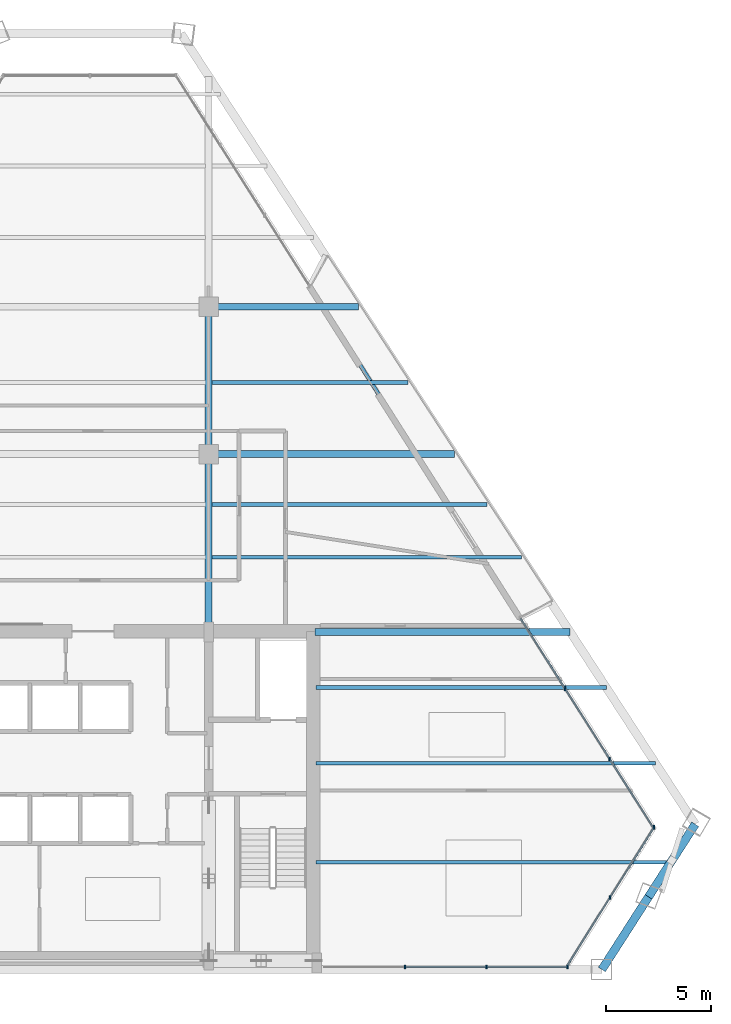
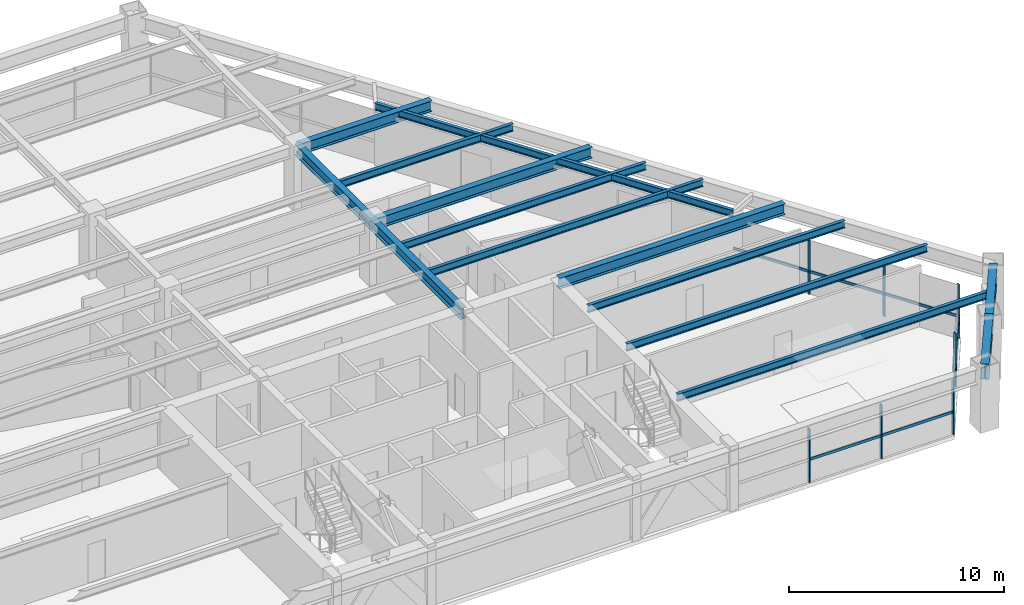
# One storey, part 6 of 15: 14 beams, 14 members, 3 elements without a shape of their own.
"""IFC4 building model written with IfcOpenShell, lengths in metres."""

from ifc_helpers import new_model, si_unit, direction, frame, origin, origin_2d, place, context, subcontext, project, spatial, rectangle, i_section, extrude, source, transform, mapped, material, material_profile, profile_set, type_object, type_shapes, element, aggregate, save


model = new_model("IFC4")

# Units and contexts
model_context = context("Model", 3, precision=1e-05, world=origin(), true_north=direction((0.0, 1.0)))
body_context = subcontext(model_context, "Body", "Model", "MODEL_VIEW")
ifc_project = project(units=[si_unit("LENGTHUNIT", "METRE"), si_unit("AREAUNIT", "SQUARE_METRE"), si_unit("VOLUMEUNIT", "CUBIC_METRE"), si_unit("PLANEANGLEUNIT", "RADIAN"), si_unit("MASSUNIT", "GRAM", prefix="KILO")], contexts=[model_context])

# Site, building, storey
site_placement = place(None, origin())
site = spatial("IfcSite", under=ifc_project, at=site_placement, CompositionType="ELEMENT")
building_placement = place(site_placement, origin())
building = spatial("IfcBuilding", under=site, at=building_placement, Name="Varnakhor Terracotta Tower", CompositionType="ELEMENT")
storey_placement = place(building_placement, frame((0.0, 0.0, 174.699951171875)))
storey = spatial("IfcBuildingStorey", under=building, at=storey_placement, Name="L44", CompositionType="ELEMENT", Elevation=174.699951171875)

# Beams
ifc_material_1 = material(Name="Steel S355", Category="steel")
ifc_material_profile_1 = material_profile(ifc_material_1, i_section(OverallWidth=0.324951171875, OverallDepth=0.615966796875, WebThickness=0.013916015625, FlangeThickness=0.02197265625, FilletRadius=0.01806640625, at=origin_2d()), Name="W24X117")
ifc_profile_set_1 = profile_set([ifc_material_profile_1], Name="Steel S355")
beam_type_1 = type_object("IfcBeamType", Name="BM-W24X117", PredefinedType="BEAM", material=ifc_profile_set_1)
shared_shape_1 = source(origin(), body_context, "Body", "SweptSolid", [
    extrude(i_section(OverallWidth=0.324951171875, OverallDepth=0.615966796875, WebThickness=0.013916015625, FlangeThickness=0.02197265625, FilletRadius=0.01806640625, at=origin_2d()), origin(), (0.0, 0.0, 1.0), 8.449951171875),
])
type_shapes(beam_type_1, [shared_shape_1])
beam_1_placement = place(storey_placement, frame((5.5, 16.050048828125, 3.162109375), z_axis=(0.0, 1.0, 0.0), x_axis=(-1.0, 0.0, 0.0)))
element("IfcBeam", 1, at=beam_1_placement, inside=storey, type_object=beam_type_1, Name="L44 Primary Girder NS1-E", PredefinedType="BEAM", context=body_context, shape_type="MappedRepresentation", body=[
    mapped(shared_shape_1, transform((0.0, 0.0, 0.0), scale=1.0)),
])
shared_shape_2 = source(origin(), body_context, "Body", "SweptSolid", [
    extrude(i_section(OverallWidth=0.324951171875, OverallDepth=0.615966796875, WebThickness=0.013916015625, FlangeThickness=0.02197265625, FilletRadius=0.01806640625, at=origin_2d()), origin(), (0.0, 0.0, 1.0), 7.0),
])
beam_2_placement = place(storey_placement, frame((5.5, 24.5, 3.162109375), z_axis=(0.0, 1.0, 0.0), x_axis=(-1.0, 0.0, 0.0)))
element("IfcBeam", 2, at=beam_2_placement, inside=storey, type_object=beam_type_1, Name="L44 Primary Girder NS2-E", PredefinedType="BEAM", context=body_context, shape_type="MappedRepresentation", body=[
    mapped(shared_shape_2, transform((0.0, 0.0, 0.0), scale=1.0)),
])
ifc_material_profile_2 = material_profile(ifc_material_1, i_section(OverallWidth=0.39990234375, OverallDepth=0.85498046875, WebThickness=0.01806640625, FlangeThickness=0.029052734375, FilletRadius=0.01806640625, at=origin_2d()), Name="W33X201")
ifc_profile_set_2 = profile_set([ifc_material_profile_2], Name="Steel S355")
beam_type_2 = type_object("IfcBeamType", Name="BM-W33X201", PredefinedType="BEAM", material=ifc_profile_set_2)
shared_shape_3 = source(origin(), body_context, "Body", "SweptSolid", [
    extrude(i_section(OverallWidth=0.39990234375, OverallDepth=0.85498046875, WebThickness=0.01806640625, FlangeThickness=0.029052734375, FilletRadius=0.01806640625, at=origin_2d()), origin(), (0.0, 0.0, 1.0), 4.1025390625),
])
beam_3_placement = place(storey_placement, frame((24.195068359375, 0.0, 3.04248046875), z_axis=(0.540405643134, 0.84140462375, 0.0), x_axis=(-0.84140462375, 0.540405643134, 0.0)))
element("IfcBeam", 3, at=beam_3_placement, inside=storey, type_object=beam_type_2, Name="L44 Perimeter Spandrel 2", PredefinedType="BEAM", context=body_context, shape_type="MappedRepresentation", body=[
    mapped(shared_shape_3, transform((0.0, 0.0, 0.0), scale=1.0)),
])
shared_shape_4 = source(origin(), body_context, "Body", "SweptSolid", [
    extrude(i_section(OverallWidth=0.39990234375, OverallDepth=0.85498046875, WebThickness=0.01806640625, FlangeThickness=0.029052734375, FilletRadius=0.01806640625, at=origin_2d()), origin(), (0.0, 0.0, 1.0), 4.102294921875),
])
beam_4_placement = place(storey_placement, frame((26.412109375, 3.451904296875, 3.04248046875), z_axis=(0.540432703162, 0.841387243398, 0.0), x_axis=(-0.841387243398, 0.540432703162, 0.0)))
element("IfcBeam", 4, at=beam_4_placement, inside=storey, type_object=beam_type_2, Name="L44 Perimeter Spandrel 3", PredefinedType="BEAM", context=body_context, shape_type="MappedRepresentation", body=[
    mapped(shared_shape_4, transform((0.0, 0.0, 0.0), scale=1.0)),
])
ifc_material_profile_3 = material_profile(ifc_material_1, i_section(OverallWidth=0.179931640625, OverallDepth=0.39990234375, WebThickness=0.008544921875, FlangeThickness=0.013427734375, FilletRadius=0.01806640625, at=origin_2d()), Name="IPE400")
ifc_profile_set_3 = profile_set([ifc_material_profile_3], Name="Steel S355")
beam_type_3 = type_object("IfcBeamType", Name="JST-IPE400", PredefinedType="JOIST", material=ifc_profile_set_3)
shared_shape_5 = source(origin(), body_context, "Body", "SweptSolid", [
    extrude(i_section(OverallWidth=0.179931640625, OverallDepth=0.39990234375, WebThickness=0.008544921875, FlangeThickness=0.013427734375, FilletRadius=0.01806640625, at=origin_2d()), origin(), (0.0, 0.0, 1.0), 18.760009765625),
])
beam_5_placement = place(storey_placement, frame((20.33203125, 16.69580078125, 3.27001953125), z_axis=(-0.535560361723, 0.844496950232, 0.0), x_axis=(-0.844496950232, -0.535560361723, 0.0)))
element("IfcBeam", 5, at=beam_5_placement, inside=storey, type_object=beam_type_3, Name="L44 Loggia Edge Beam 1", PredefinedType="JOIST", context=body_context, shape_type="MappedRepresentation", body=[
    mapped(shared_shape_5, transform((0.0, 0.0, 0.0), scale=1.0)),
])
shared_shape_6 = source(origin(), body_context, "Body", "SweptSolid", [
    extrude(i_section(OverallWidth=0.324951171875, OverallDepth=0.615966796875, WebThickness=0.013916015625, FlangeThickness=0.02197265625, FilletRadius=0.01806640625, at=origin_2d()), origin(), (0.0, 0.0, 1.0), 12.12939453125),
])
beam_6_placement = place(storey_placement, frame((10.550048828125, 16.050048828125, 3.162109375), z_axis=(1.0, 0.0, 0.0), x_axis=(0.0, 1.0, 0.0)))
element("IfcBeam", 6, at=beam_6_placement, inside=storey, type_object=beam_type_1, Name="L44 Wing Girder E", PredefinedType="BEAM", context=body_context, shape_type="MappedRepresentation", body=[
    mapped(shared_shape_6, transform((0.0, 0.0, 0.0), scale=1.0)),
])
shared_shape_7 = source(origin(), body_context, "Body", "SweptSolid", [
    extrude(i_section(OverallWidth=0.324951171875, OverallDepth=0.615966796875, WebThickness=0.013916015625, FlangeThickness=0.02197265625, FilletRadius=0.01806640625, at=origin_2d()), origin(), (0.0, 0.0, 1.0), 11.6826171875),
])
beam_7_placement = place(storey_placement, frame((5.5, 24.5, 3.162109375), z_axis=(1.0, 0.0, 0.0), x_axis=(0.0, 1.0, 0.0)))
element("IfcBeam", 7, at=beam_7_placement, inside=storey, type_object=beam_type_1, Name="L44 Primary Girder EW2-3", PredefinedType="BEAM", context=body_context, shape_type="MappedRepresentation", body=[
    mapped(shared_shape_7, transform((0.0, 0.0, 0.0), scale=1.0)),
])
shared_shape_8 = source(origin(), body_context, "Body", "SweptSolid", [
    extrude(i_section(OverallWidth=0.324951171875, OverallDepth=0.615966796875, WebThickness=0.013916015625, FlangeThickness=0.02197265625, FilletRadius=0.01806640625, at=origin_2d()), origin(), (0.0, 0.0, 1.0), 7.129150390625),
])
beam_8_placement = place(storey_placement, frame((5.5, 31.5, 3.162109375), z_axis=(1.0, 0.0, 0.0), x_axis=(0.0, 1.0, 0.0)))
element("IfcBeam", 8, at=beam_8_placement, inside=storey, type_object=beam_type_1, Name="L44 Primary Girder EW3-3", PredefinedType="BEAM", context=body_context, shape_type="MappedRepresentation", body=[
    mapped(shared_shape_8, transform((0.0, 0.0, 0.0), scale=1.0)),
])
ifc_material_profile_4 = material_profile(ifc_material_1, i_section(OverallWidth=0.179931640625, OverallDepth=0.4130859375, WebThickness=0.009765625, FlangeThickness=0.01611328125, FilletRadius=0.01806640625, at=origin_2d()), Name="W16X50")
ifc_profile_set_4 = profile_set([ifc_material_profile_4], Name="Steel S355")
beam_type_4 = type_object("IfcBeamType", Name="JST-W16X50", PredefinedType="JOIST", material=ifc_profile_set_4)
shared_shape_9 = source(origin(), body_context, "Body", "SweptSolid", [
    extrude(i_section(OverallWidth=0.179931640625, OverallDepth=0.4130859375, WebThickness=0.009765625, FlangeThickness=0.01611328125, FilletRadius=0.01806640625, at=origin_2d()), origin(), (0.0, 0.0, 1.0), 16.87060546875),
])
beam_9_placement = place(storey_placement, frame((10.60009765625, 5.10009765625, 3.263427734375), z_axis=(1.0, 0.0, 0.0), x_axis=(0.0, 1.0, 0.0)))
element("IfcBeam", 9, at=beam_9_placement, inside=storey, type_object=beam_type_4, Name="L44 Floor Joist E1", PredefinedType="JOIST", context=body_context, shape_type="MappedRepresentation", body=[
    mapped(shared_shape_9, transform((0.0, 0.0, 0.0), scale=1.0)),
])
shared_shape_10 = source(origin(), body_context, "Body", "SweptSolid", [
    extrude(i_section(OverallWidth=0.179931640625, OverallDepth=0.4130859375, WebThickness=0.009765625, FlangeThickness=0.01611328125, FilletRadius=0.01806640625, at=origin_2d()), origin(), (0.0, 0.0, 1.0), 16.14501953125),
])
beam_10_placement = place(storey_placement, frame((10.60009765625, 9.800048828125, 3.263427734375), z_axis=(1.0, 0.0, 0.0), x_axis=(0.0, 1.0, 0.0)))
element("IfcBeam", 10, at=beam_10_placement, inside=storey, type_object=beam_type_4, Name="L44 Floor Joist E2", PredefinedType="JOIST", context=body_context, shape_type="MappedRepresentation", body=[
    mapped(shared_shape_10, transform((0.0, 0.0, 0.0), scale=1.0)),
])
shared_shape_11 = source(origin(), body_context, "Body", "SweptSolid", [
    extrude(i_section(OverallWidth=0.179931640625, OverallDepth=0.4130859375, WebThickness=0.009765625, FlangeThickness=0.01611328125, FilletRadius=0.01806640625, at=origin_2d()), origin(), (0.0, 0.0, 1.0), 13.80322265625),
])
beam_11_placement = place(storey_placement, frame((10.60009765625, 13.39990234375, 3.263427734375), z_axis=(1.0, 0.0, 0.0), x_axis=(0.0, 1.0, 0.0)))
element("IfcBeam", 11, at=beam_11_placement, inside=storey, type_object=beam_type_4, Name="L44 Floor Joist E3", PredefinedType="JOIST", context=body_context, shape_type="MappedRepresentation", body=[
    mapped(shared_shape_11, transform((0.0, 0.0, 0.0), scale=1.0)),
])
shared_shape_12 = source(origin(), body_context, "Body", "SweptSolid", [
    extrude(i_section(OverallWidth=0.179931640625, OverallDepth=0.4130859375, WebThickness=0.009765625, FlangeThickness=0.01611328125, FilletRadius=0.01806640625, at=origin_2d()), origin(), (0.0, 0.0, 1.0), 14.711669921875),
])
beam_12_placement = place(storey_placement, frame((5.658447265625, 19.60009765625, 3.263427734375), z_axis=(1.0, 0.0, 0.0), x_axis=(0.0, 1.0, 0.0)))
element("IfcBeam", 12, at=beam_12_placement, inside=storey, type_object=beam_type_4, Name="L44 Composite Floor Joist 4-3", PredefinedType="JOIST", context=body_context, shape_type="MappedRepresentation", body=[
    mapped(shared_shape_12, transform((0.0, 0.0, 0.0), scale=1.0)),
])
shared_shape_13 = source(origin(), body_context, "Body", "SweptSolid", [
    extrude(i_section(OverallWidth=0.179931640625, OverallDepth=0.4130859375, WebThickness=0.009765625, FlangeThickness=0.01611328125, FilletRadius=0.01806640625, at=origin_2d()), origin(), (0.0, 0.0, 1.0), 13.08544921875),
])
beam_13_placement = place(storey_placement, frame((5.658447265625, 22.10009765625, 3.263427734375), z_axis=(1.0, 0.0, 0.0), x_axis=(0.0, 1.0, 0.0)))
element("IfcBeam", 13, at=beam_13_placement, inside=storey, type_object=beam_type_4, Name="L44 Composite Floor Joist 5-3", PredefinedType="JOIST", context=body_context, shape_type="MappedRepresentation", body=[
    mapped(shared_shape_13, transform((0.0, 0.0, 0.0), scale=1.0)),
])
shared_shape_14 = source(origin(), body_context, "Body", "SweptSolid", [
    extrude(i_section(OverallWidth=0.179931640625, OverallDepth=0.4130859375, WebThickness=0.009765625, FlangeThickness=0.01611328125, FilletRadius=0.01806640625, at=origin_2d()), origin(), (0.0, 0.0, 1.0), 9.3125),
])
beam_14_placement = place(storey_placement, frame((5.658447265625, 27.89990234375, 3.263427734375), z_axis=(1.0, 0.0, 0.0), x_axis=(0.0, 1.0, 0.0)))
element("IfcBeam", 14, at=beam_14_placement, inside=storey, type_object=beam_type_4, Name="L44 Composite Floor Joist 6-3", PredefinedType="JOIST", context=body_context, shape_type="MappedRepresentation", body=[
    mapped(shared_shape_14, transform((0.0, 0.0, 0.0), scale=1.0)),
])

# Curtain wall, members
ifc_material_2 = material(Name="Anodised Aluminium Curtain Wall System", Category="aluminium")
curtain_wall_type = type_object("IfcCurtainWallType", Name="CW-SYS-MID-OFFICE", PredefinedType="NOTDEFINED", material=ifc_material_2)
curtain_wall_1_placement = place(storey_placement, origin())
curtain_wall_1 = element("IfcCurtainWall", 15, at=curtain_wall_1_placement, inside=storey, type_object=curtain_wall_type, Name="L44 E Facet Curtain Wall 2", PredefinedType="NOTDEFINED")
ifc_material_3 = material(Name="Anodised Aluminium 6063-T6", Category="aluminium")
ifc_material_profile_5 = material_profile(ifc_material_3, rectangle(XDim=0.070068359375, YDim=0.175048828125, at=origin_2d()), Name="ALU MULLION 70x175")
ifc_profile_set_5 = profile_set([ifc_material_profile_5], Name="Anodised Aluminium 6063-T6")
member_type_1 = type_object("IfcMemberType", Name="CWM-03", PredefinedType="MULLION", material=ifc_profile_set_5)
shared_shape_15 = source(origin(), body_context, "Body", "SweptSolid", [
    extrude(rectangle(XDim=0.070068359375, YDim=0.175048828125, at=origin_2d()), origin(), (0.0, 0.0, 1.0), 3.050048828125),
])
member_1_placement = place(storey_placement, frame((22.447021484375, 13.345703125, 0.0), z_axis=(0.0, 0.0, 1.0), x_axis=(1.0, 0.0, 0.0)))
member_1 = element("IfcMember", 16, at=member_1_placement, type_object=member_type_1, Name="L44 E Facet Curtain Wall 2 Mullion 2", PredefinedType="MULLION", context=body_context, shape_type="MappedRepresentation", body=[
    mapped(shared_shape_15, transform((0.0, 0.0, 0.0), scale=1.0)),
])
member_2_placement = place(storey_placement, frame((24.5615234375, 10.012939453125, 0.0), z_axis=(0.0, 0.0, 1.0), x_axis=(1.0, 0.0, 0.0)))
member_2 = element("IfcMember", 17, at=member_2_placement, type_object=member_type_1, Name="L44 E Facet Curtain Wall 2 Mullion 3", PredefinedType="MULLION", context=body_context, shape_type="MappedRepresentation", body=[
    mapped(shared_shape_15, transform((0.0, 0.0, 0.0), scale=1.0)),
])

curtain_wall_2_placement = place(storey_placement, origin())
curtain_wall_2 = element("IfcCurtainWall", 18, at=curtain_wall_2_placement, inside=storey, type_object=curtain_wall_type, Name="L44 Facet Curtain Wall 4", PredefinedType="NOTDEFINED")
member_3_placement = place(storey_placement, frame((26.676025390625, 6.7578125, 0.0), z_axis=(0.0, 0.0, 1.0), x_axis=(1.0, 0.0, 0.0)))
member_3 = element("IfcMember", 19, at=member_3_placement, type_object=member_type_1, Name="L44 Facet Curtain Wall 4 Mullion 1", PredefinedType="MULLION", context=body_context, shape_type="MappedRepresentation", body=[
    mapped(shared_shape_15, transform((0.0, 0.0, 0.0), scale=1.0)),
])
member_4_placement = place(storey_placement, frame((24.581787109375, 3.423583984375, 0.0), z_axis=(0.0, 0.0, 1.0), x_axis=(1.0, 0.0, 0.0)))
member_4 = element("IfcMember", 20, at=member_4_placement, type_object=member_type_1, Name="L44 Facet Curtain Wall 4 Mullion 2", PredefinedType="MULLION", context=body_context, shape_type="MappedRepresentation", body=[
    mapped(shared_shape_15, transform((0.0, 0.0, 0.0), scale=1.0)),
])

curtain_wall_3_placement = place(storey_placement, origin())
curtain_wall_3 = element("IfcCurtainWall", 21, at=curtain_wall_3_placement, inside=storey, type_object=curtain_wall_type, Name="L44 South Wing Curtain Wall SSE", PredefinedType="NOTDEFINED")
member_5_placement = place(storey_placement, frame((22.563232421875, 0.1201171875, 0.0), z_axis=(0.0, 0.0, 1.0), x_axis=(1.0, 0.0, 0.0)))
member_5 = element("IfcMember", 22, at=member_5_placement, type_object=member_type_1, Name="L44 South Wing Curtain Wall SSE Mullion 1", PredefinedType="MULLION", context=body_context, shape_type="MappedRepresentation", body=[
    mapped(shared_shape_15, transform((0.0, 0.0, 0.0), scale=1.0)),
])
member_6_placement = place(storey_placement, frame((18.698974609375, 0.1201171875, 0.0), z_axis=(0.0, 0.0, 1.0), x_axis=(1.0, 0.0, 0.0)))
member_6 = element("IfcMember", 23, at=member_6_placement, type_object=member_type_1, Name="L44 South Wing Curtain Wall SSE Mullion 2", PredefinedType="MULLION", context=body_context, shape_type="MappedRepresentation", body=[
    mapped(shared_shape_15, transform((0.0, 0.0, 0.0), scale=1.0)),
])
member_7_placement = place(storey_placement, frame((14.83447265625, 0.1201171875, 0.0), z_axis=(0.0, 0.0, 1.0), x_axis=(1.0, 0.0, 0.0)))
member_7 = element("IfcMember", 24, at=member_7_placement, type_object=member_type_1, Name="L44 South Wing Curtain Wall SSE Mullion 3", PredefinedType="MULLION", context=body_context, shape_type="MappedRepresentation", body=[
    mapped(shared_shape_15, transform((0.0, 0.0, 0.0), scale=1.0)),
])

# Member
ifc_material_profile_6 = material_profile(ifc_material_3, rectangle(XDim=0.070068359375, YDim=0.155029296875, at=origin_2d()), Name="ALU TRANSOM 70x155")
ifc_profile_set_6 = profile_set([ifc_material_profile_6], Name="Anodised Aluminium 6063-T6")
member_type_2 = type_object("IfcMemberType", Name="CWT-03", PredefinedType="USERDEFINED", material=ifc_profile_set_6)
shared_shape_16 = source(origin(), body_context, "Body", "SweptSolid", [
    extrude(rectangle(XDim=0.070068359375, YDim=0.155029296875, at=origin_2d()), origin(), (0.0, 0.0, 1.0), 3.947021484375),
])
member_8_placement = place(storey_placement, frame((20.33251953125, 16.678466796875, 1.281005859375), z_axis=(0.535730307789, -0.844389150402, 0.0), x_axis=(0.844389150402, 0.535730307789, 0.0)))
member_8 = element("IfcMember", 25, at=member_8_placement, type_object=member_type_2, Name="L44 E Facet Curtain Wall 2 Transom 1", ObjectType="TRANSOM", PredefinedType="USERDEFINED", context=body_context, shape_type="MappedRepresentation", body=[
    mapped(shared_shape_16, transform((0.0, 0.0, 0.0), scale=1.0)),
])

member_9_placement = place(storey_placement, frame((22.447021484375, 13.345703125, 1.281005859375), z_axis=(0.535730307789, -0.844389150402, 0.0), x_axis=(0.844389150402, 0.535730307789, 0.0)))
member_9 = element("IfcMember", 26, at=member_9_placement, type_object=member_type_2, Name="L44 E Facet Curtain Wall 2 Transom 2", ObjectType="TRANSOM", PredefinedType="USERDEFINED", context=body_context, shape_type="MappedRepresentation", body=[
    mapped(shared_shape_16, transform((0.0, 0.0, 0.0), scale=1.0)),
])

shared_shape_17 = source(origin(), body_context, "Body", "SweptSolid", [
    extrude(rectangle(XDim=0.070068359375, YDim=0.155029296875, at=origin_2d()), origin(), (0.0, 0.0, 1.0), 3.94677734375),
])
member_10_placement = place(storey_placement, frame((24.5615234375, 10.012939453125, 1.281005859375), z_axis=(0.535802390984, -0.844343412253, 0.0), x_axis=(0.844343412253, 0.535802390984, 0.0)))
member_10 = element("IfcMember", 27, at=member_10_placement, type_object=member_type_2, Name="L44 E Facet Curtain Wall 2 Transom 3", ObjectType="TRANSOM", PredefinedType="USERDEFINED", context=body_context, shape_type="MappedRepresentation", body=[
    mapped(shared_shape_17, transform((0.0, 0.0, 0.0), scale=1.0)),
])

aggregate(curtain_wall_1, [member_8, member_1, member_9, member_2, member_10])

shared_shape_18 = source(origin(), body_context, "Body", "SweptSolid", [
    extrude(rectangle(XDim=0.070068359375, YDim=0.155029296875, at=origin_2d()), origin(), (0.0, 0.0, 1.0), 3.937255859375),
])
member_11_placement = place(storey_placement, frame((26.676025390625, 6.7578125, 1.281005859375), z_axis=(-0.531887064234, -0.846815299165, 0.0), x_axis=(0.846815299165, -0.531887064234, 0.0)))
member_11 = element("IfcMember", 28, at=member_11_placement, type_object=member_type_2, Name="L44 Facet Curtain Wall 4 Transom 1", ObjectType="TRANSOM", PredefinedType="USERDEFINED", context=body_context, shape_type="MappedRepresentation", body=[
    mapped(shared_shape_18, transform((0.0, 0.0, 0.0), scale=1.0)),
])

shared_shape_19 = source(origin(), body_context, "Body", "SweptSolid", [
    extrude(rectangle(XDim=0.070068359375, YDim=0.155029296875, at=origin_2d()), origin(), (0.0, 0.0, 1.0), 3.9375),
])
member_12_placement = place(storey_placement, frame((24.581787109375, 3.423583984375, 1.281005859375), z_axis=(-0.531859137303, -0.846832839507, 0.0), x_axis=(0.846832839507, -0.531859137303, 0.0)))
member_12 = element("IfcMember", 29, at=member_12_placement, type_object=member_type_2, Name="L44 Facet Curtain Wall 4 Transom 2", ObjectType="TRANSOM", PredefinedType="USERDEFINED", context=body_context, shape_type="MappedRepresentation", body=[
    mapped(shared_shape_19, transform((0.0, 0.0, 0.0), scale=1.0)),
])

aggregate(curtain_wall_2, [member_3, member_11, member_4, member_12])

shared_shape_20 = source(origin(), body_context, "Body", "SweptSolid", [
    extrude(rectangle(XDim=0.070068359375, YDim=0.155029296875, at=origin_2d()), origin(), (0.0, 0.0, 1.0), 3.8642578125),
])
member_13_placement = place(storey_placement, frame((22.563232421875, 0.1201171875, 1.281005859375), z_axis=(-1.0, 0.0, 0.0), x_axis=(0.0, -1.0, 0.0)))
member_13 = element("IfcMember", 30, at=member_13_placement, type_object=member_type_2, Name="L44 South Wing Curtain Wall SSE Transom 1", ObjectType="TRANSOM", PredefinedType="USERDEFINED", context=body_context, shape_type="MappedRepresentation", body=[
    mapped(shared_shape_20, transform((0.0, 0.0, 0.0), scale=1.0)),
])

shared_shape_21 = source(origin(), body_context, "Body", "SweptSolid", [
    extrude(rectangle(XDim=0.070068359375, YDim=0.155029296875, at=origin_2d()), origin(), (0.0, 0.0, 1.0), 3.864501953125),
])
member_14_placement = place(storey_placement, frame((18.698974609375, 0.1201171875, 1.281005859375), z_axis=(-1.0, 0.0, 0.0), x_axis=(0.0, -1.0, 0.0)))
member_14 = element("IfcMember", 31, at=member_14_placement, type_object=member_type_2, Name="L44 South Wing Curtain Wall SSE Transom 2", ObjectType="TRANSOM", PredefinedType="USERDEFINED", context=body_context, shape_type="MappedRepresentation", body=[
    mapped(shared_shape_21, transform((0.0, 0.0, 0.0), scale=1.0)),
])

aggregate(curtain_wall_3, [member_5, member_13, member_6, member_14, member_7])

save(model, "model.ifc")
